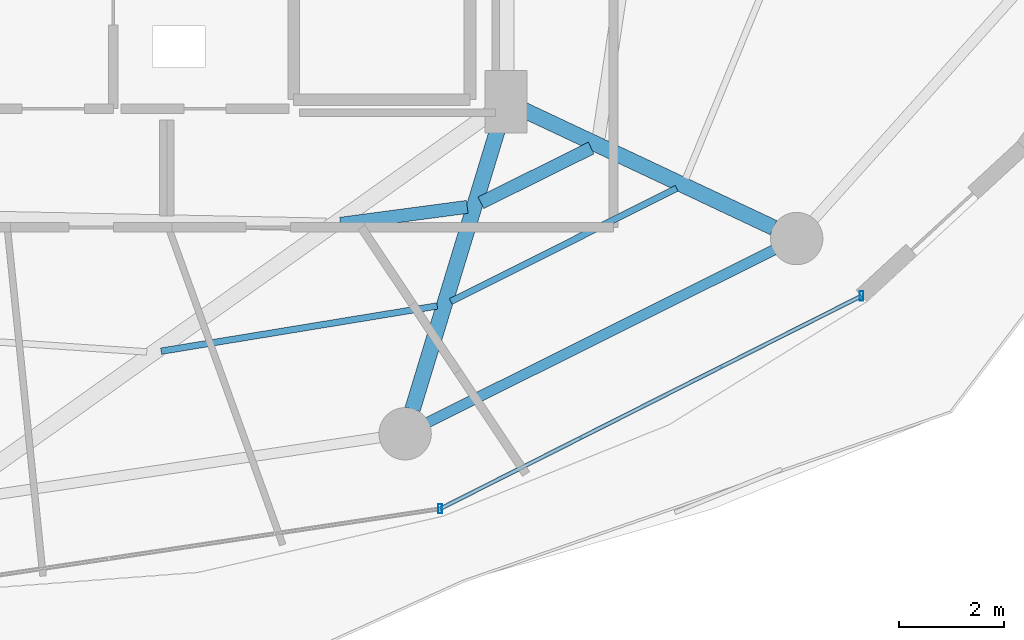
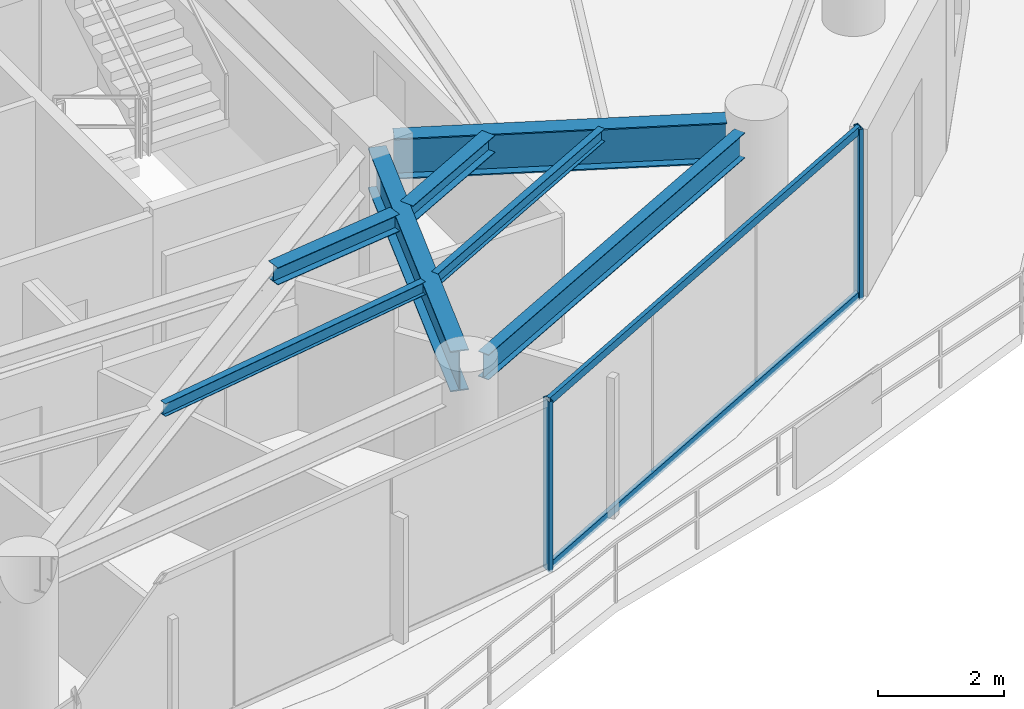
# One storey, part 11 of 30: 7 beams, 4 members, 1 element without a shape of its own.
"""IFC4 building model written with IfcOpenShell, lengths in metres."""

from ifc_helpers import new_model, si_unit, direction, frame, origin, origin_2d, place, context, subcontext, project, spatial, hollow_rectangle, i_section, extrude, material, material_profile, profile_set, type_object, element, aggregate, save


model = new_model("IFC4")

# Units and contexts
model_context = context("Model", 3, precision=1e-05, world=origin(), true_north=direction((0.0, 1.0)))
body_context = subcontext(model_context, "Body", "Model", "MODEL_VIEW")
ifc_project = project(units=[si_unit("LENGTHUNIT", "METRE"), si_unit("AREAUNIT", "SQUARE_METRE"), si_unit("VOLUMEUNIT", "CUBIC_METRE"), si_unit("PLANEANGLEUNIT", "RADIAN"), si_unit("MASSUNIT", "GRAM", prefix="KILO")], contexts=[model_context])

# Site, building, storey
site_placement = place(None, origin())
site = spatial("IfcSite", under=ifc_project, at=site_placement, CompositionType="ELEMENT")
building_placement = place(site_placement, origin())
building = spatial("IfcBuilding", under=site, at=building_placement, Name="Vorneva Point Tower", CompositionType="ELEMENT")
storey_placement = place(building_placement, frame((0.0, 0.0, 153.60009765625)))
storey = spatial("IfcBuildingStorey", under=building, at=storey_placement, Name="L41", CompositionType="ELEMENT", Elevation=153.60009765625)

# Beams
ifc_material_1 = material(Name="Steel S355", Category="steel")
ifc_material_profile_1 = material_profile(ifc_material_1, i_section(OverallWidth=0.300048828125, OverallDepth=0.7880859375, WebThickness=0.014404296875, FlangeThickness=0.02197265625, at=origin_2d()), Name="80Sh1")
ifc_profile_set_1 = profile_set([ifc_material_profile_1], Name="Steel S355")
beam_type_1 = type_object("IfcBeamType", Name="BM-GRD-80Sh1", PredefinedType="USERDEFINED", material=ifc_profile_set_1)
beam_1_placement = place(storey_placement, frame((46.962890625, 10.576171875, 2.845947265625), z_axis=(0.291049382966, 0.95670803105, 0.0), x_axis=(-0.95670803105, 0.291049382966, 0.0)))
element("IfcBeam", 1, at=beam_1_placement, inside=storey, type_object=beam_type_1, Name="L41 Radial Primary Girder 14", ObjectType="GIRDER", PredefinedType="USERDEFINED", context=body_context, shape_type="SweptSolid", body=[
    extrude(i_section(OverallWidth=0.300048828125, OverallDepth=0.7880859375, WebThickness=0.014404296875, FlangeThickness=0.02197265625, at=origin_2d()), origin(), (0.0, 0.0, 1.0), 5.799560546875),
])
beam_2_placement = place(storey_placement, frame((53.857421875, 14.045654296875, 2.845947265625), z_axis=(-0.904761331435, 0.425918927896, 0.0), x_axis=(-0.425918927896, -0.904761331435, 0.0)))
element("IfcBeam", 2, at=beam_2_placement, inside=storey, type_object=beam_type_1, Name="L41 Radial Primary Girder 15", ObjectType="GIRDER", PredefinedType="USERDEFINED", context=body_context, shape_type="SweptSolid", body=[
    extrude(i_section(OverallWidth=0.300048828125, OverallDepth=0.7880859375, WebThickness=0.014404296875, FlangeThickness=0.02197265625, at=origin_2d()), origin(), (0.0, 0.0, 1.0), 5.304931640625),
])
ifc_material_profile_2 = material_profile(ifc_material_1, i_section(OverallWidth=0.1240234375, OverallDepth=0.248046875, WebThickness=0.0048828125, FlangeThickness=0.008056640625, at=origin_2d()), Name="25B1")
ifc_profile_set_2 = profile_set([ifc_material_profile_2], Name="Steel S355")
beam_type_2 = type_object("IfcBeamType", Name="BM-JST-25B1", PredefinedType="JOIST", material=ifc_profile_set_2)
beam_3_placement = place(storey_placement, frame((42.160888671875, 11.686279296875, 3.115966796875), z_axis=(0.986812954533, 0.161864736014, 0.0), x_axis=(-0.161864736014, 0.986812954533, 0.0)))
element("IfcBeam", 3, at=beam_3_placement, inside=storey, type_object=beam_type_2, Name="L41 Secondary Floor Beam 1.13", PredefinedType="JOIST", context=body_context, shape_type="SweptSolid", body=[
    extrude(i_section(OverallWidth=0.1240234375, OverallDepth=0.248046875, WebThickness=0.0048828125, FlangeThickness=0.008056640625, at=origin_2d()), origin(), (0.0, 0.0, 1.0), 5.343994140625),
])
beam_4_placement = place(storey_placement, frame((47.694091796875, 12.635498046875, 3.115966796875), z_axis=(0.893940770693, 0.448185116322, 0.0), x_axis=(-0.448185116322, 0.893940770693, 0.0)))
element("IfcBeam", 4, at=beam_4_placement, inside=storey, type_object=beam_type_2, Name="L41 Secondary Floor Beam 1.14", PredefinedType="JOIST", context=body_context, shape_type="SweptSolid", body=[
    extrude(i_section(OverallWidth=0.1240234375, OverallDepth=0.248046875, WebThickness=0.0048828125, FlangeThickness=0.008056640625, at=origin_2d()), origin(), (0.0, 0.0, 1.0), 4.823486328125),
])
ifc_material_profile_3 = material_profile(ifc_material_1, i_section(OverallWidth=0.2490234375, OverallDepth=0.333984375, WebThickness=0.008056640625, FlangeThickness=0.010986328125, at=origin_2d()), Name="35Sh1")
ifc_profile_set_3 = profile_set([ifc_material_profile_3], Name="Steel S355")
beam_type_3 = type_object("IfcBeamType", Name="BM-SEC-35Sh1", PredefinedType="BEAM", material=ifc_profile_set_3)
beam_5_placement = place(storey_placement, frame((45.587158203125, 14.1201171875, 3.072998046875), z_axis=(0.991280212935, 0.131770783726, 0.0), x_axis=(-0.131770783726, 0.991280212935, 0.0)))
element("IfcBeam", 5, at=beam_5_placement, inside=storey, type_object=beam_type_3, Name="L41 Secondary Floor Beam 2.13", PredefinedType="BEAM", context=body_context, shape_type="SweptSolid", body=[
    extrude(i_section(OverallWidth=0.2490234375, OverallDepth=0.333984375, WebThickness=0.008056640625, FlangeThickness=0.010986328125, at=origin_2d()), origin(), (0.0, 0.0, 1.0), 2.44189453125),
])
beam_6_placement = place(storey_placement, frame((48.268310546875, 14.521484375, 3.072998046875), z_axis=(0.895835455774, 0.444385909068, 0.0), x_axis=(-0.444385909068, 0.895835455774, 0.0)))
element("IfcBeam", 6, at=beam_6_placement, inside=storey, type_object=beam_type_3, Name="L41 Secondary Floor Beam 2.14", PredefinedType="BEAM", context=body_context, shape_type="SweptSolid", body=[
    extrude(i_section(OverallWidth=0.2490234375, OverallDepth=0.333984375, WebThickness=0.008056640625, FlangeThickness=0.010986328125, at=origin_2d()), origin(), (0.0, 0.0, 1.0), 2.350341796875),
])
ifc_material_profile_4 = material_profile(ifc_material_1, i_section(OverallWidth=0.199951171875, OverallDepth=0.491943359375, WebThickness=0.0087890625, FlangeThickness=0.011962890625, at=origin_2d()), Name="50B1")
ifc_profile_set_4 = profile_set([ifc_material_profile_4], Name="Steel S355")
beam_type_4 = type_object("IfcBeamType", Name="BM-SPN-50B1", PredefinedType="SPANDREL", material=ifc_profile_set_4)
beam_7_placement = place(storey_placement, frame((47.2548828125, 10.32568359375, 2.993896484375), z_axis=(0.894929061397, 0.446208443518, 0.0), x_axis=(-0.446208443518, 0.894929061397, 0.0)))
element("IfcBeam", 7, at=beam_7_placement, inside=storey, type_object=beam_type_4, Name="L41 Perimeter Spandrel Ring Beam 14", PredefinedType="SPANDREL", context=body_context, shape_type="SweptSolid", body=[
    extrude(i_section(OverallWidth=0.199951171875, OverallDepth=0.491943359375, WebThickness=0.0087890625, FlangeThickness=0.011962890625, at=origin_2d()), origin(), (0.0, 0.0, 1.0), 7.385986328125),
])

# Curtain wall, members
ifc_material_2 = material(Name="Pale anodised aluminium", Category="aluminium")
curtain_wall_type = type_object("IfcCurtainWallType", Name="CW-RES-SYS", PredefinedType="NOTDEFINED", material=ifc_material_2)
curtain_wall_placement = place(storey_placement, origin())
curtain_wall = element("IfcCurtainWall", 8, at=curtain_wall_placement, inside=storey, type_object=curtain_wall_type, Name="L41 Unitised Curtain Wall CW-L41-R04", PredefinedType="NOTDEFINED")
ifc_material_profile_5 = material_profile(ifc_material_2, hollow_rectangle(XDim=0.074951171875, YDim=0.179931640625, WallThickness=0.00390625, at=origin_2d()), Name="AL-MUL 180x75x4")
ifc_profile_set_5 = profile_set([ifc_material_profile_5], Name="Pale anodised aluminium")
member_type_1 = type_object("IfcMemberType", Name="CW-MUL-180", PredefinedType="MULLION", material=ifc_profile_set_5)
member_1_placement = place(storey_placement, frame((47.490478515625, 8.67724609375, -0.0400390625), z_axis=(0.0, 0.0, 1.0), x_axis=(1.0, 0.0, 0.0)))
member_1 = element("IfcMember", 9, at=member_1_placement, type_object=member_type_1, Name="CW-L41-R04 Mullion 04", PredefinedType="MULLION", context=body_context, shape_type="SweptSolid", body=[
    extrude(hollow_rectangle(XDim=0.074951171875, YDim=0.179931640625, WallThickness=0.00390625, at=origin_2d()), origin(), (0.0, 0.0, 1.0), 3.31005859375),
])
member_2_placement = place(storey_placement, frame((55.5361328125, 12.74169921875, -0.0400390625), z_axis=(0.0, 0.0, 1.0), x_axis=(1.0, 0.0, 0.0)))
member_2 = element("IfcMember", 10, at=member_2_placement, type_object=member_type_1, Name="CW-L41-R04 Mullion 05", PredefinedType="MULLION", context=body_context, shape_type="SweptSolid", body=[
    extrude(hollow_rectangle(XDim=0.074951171875, YDim=0.179931640625, WallThickness=0.00390625, at=origin_2d()), origin(), (0.0, 0.0, 1.0), 3.31005859375),
])
ifc_material_profile_6 = material_profile(ifc_material_2, hollow_rectangle(XDim=0.074951171875, YDim=0.14990234375, WallThickness=0.00390625, at=origin_2d()), Name="AL-TRN 150x75x4")
ifc_profile_set_6 = profile_set([ifc_material_profile_6], Name="Pale anodised aluminium")
member_type_2 = type_object("IfcMemberType", Name="CW-TRN-150", PredefinedType="USERDEFINED", material=ifc_profile_set_6)
member_3_placement = place(storey_placement, frame((47.490478515625, 8.67724609375, 0.02001953125), z_axis=(0.892572392955, 0.450904117673, 0.0), x_axis=(-0.450904117673, 0.892572392955, 0.0)))
member_3 = element("IfcMember", 11, at=member_3_placement, type_object=member_type_2, Name="CW-L41-R04 Transom 04.1", ObjectType="TRANSOM", PredefinedType="USERDEFINED", context=body_context, shape_type="SweptSolid", body=[
    extrude(hollow_rectangle(XDim=0.074951171875, YDim=0.14990234375, WallThickness=0.00390625, at=origin_2d()), origin(), (0.0, 0.0, 1.0), 9.013916015625),
])
member_4_placement = place(storey_placement, frame((47.490478515625, 8.67724609375, 3.219970703125), z_axis=(0.892572392955, 0.450904117673, 0.0), x_axis=(-0.450904117673, 0.892572392955, 0.0)))
member_4 = element("IfcMember", 12, at=member_4_placement, type_object=member_type_2, Name="CW-L41-R04 Transom 04.2", ObjectType="TRANSOM", PredefinedType="USERDEFINED", context=body_context, shape_type="SweptSolid", body=[
    extrude(hollow_rectangle(XDim=0.074951171875, YDim=0.14990234375, WallThickness=0.00390625, at=origin_2d()), origin(), (0.0, 0.0, 1.0), 9.013916015625),
])
aggregate(curtain_wall, [member_1, member_2, member_3, member_4])

save(model, "model.ifc")
